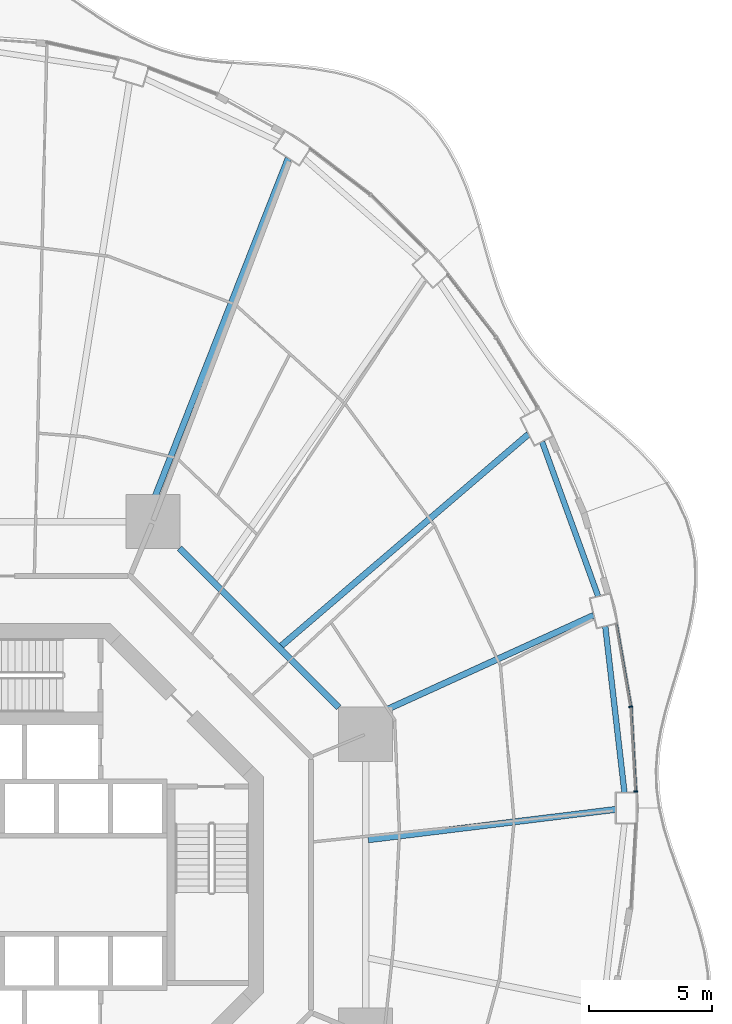
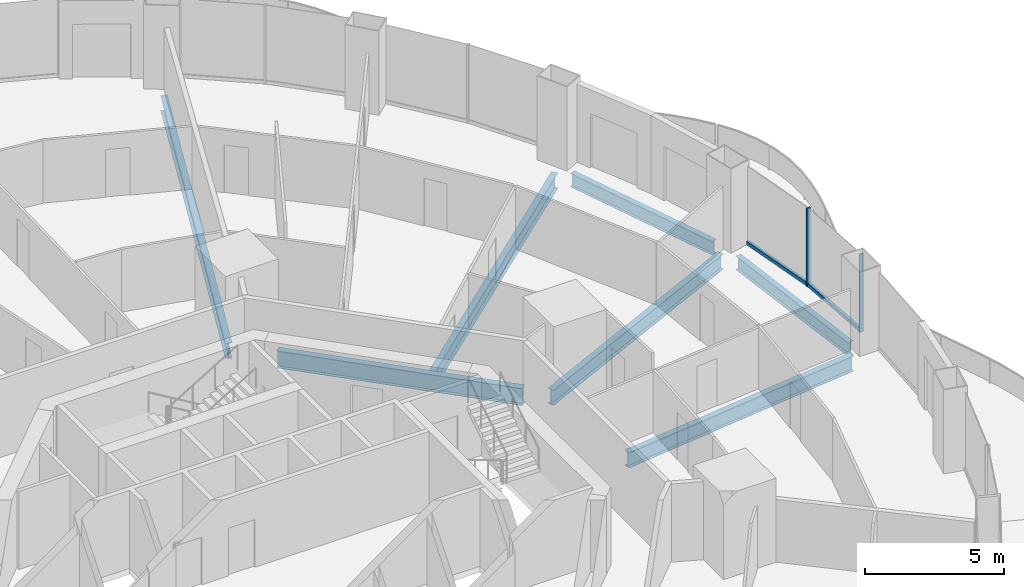
# One storey, part 10 of 24: 7 beams, 4 members, 2 elements without a shape of their own.
"""IFC4 building model written with IfcOpenShell, lengths in metres."""

from ifc_helpers import new_model, si_unit, direction, frame, origin, origin_2d, place, context, subcontext, project, spatial, rectangle, i_section, extrude, material, layer, layer_set, material_profile, profile_set, type_object, element, aggregate, save


model = new_model("IFC4")

# Units and contexts
model_context = context("Model", 3, precision=1e-05, world=origin(), true_north=direction((0.0, 1.0)))
body_context = subcontext(model_context, "Body", "Model", "MODEL_VIEW")
ifc_project = project(units=[si_unit("LENGTHUNIT", "METRE"), si_unit("AREAUNIT", "SQUARE_METRE"), si_unit("VOLUMEUNIT", "CUBIC_METRE"), si_unit("PLANEANGLEUNIT", "RADIAN"), si_unit("MASSUNIT", "GRAM", prefix="KILO")], contexts=[model_context])

# Site, building, storey
site_placement = place(None, origin())
site = spatial("IfcSite", under=ifc_project, at=site_placement, CompositionType="ELEMENT")
building_placement = place(site_placement, origin())
building = spatial("IfcBuilding", under=site, at=building_placement, Name="Nagisa Residences", CompositionType="ELEMENT")
storey_placement = place(building_placement, frame((0.0, 0.0, 102.89990234375)))
storey = spatial("IfcBuildingStorey", under=building, at=storey_placement, Name="L25", CompositionType="ELEMENT", Elevation=102.89990234375)

# Curtain wall, member
ifc_material_1 = material(Name="Concrete-coloured aluminium curtain wall system", Category="concrete")
ifc_layer = layer(ifc_material_1, 0.159912109375)
ifc_layer_set = layer_set([ifc_layer], Name="CW1 CURTAIN WALL")
curtain_wall_type = type_object("IfcCurtainWallType", Name="CW1 CURTAIN WALL", PredefinedType="NOTDEFINED", material=ifc_layer_set)
curtain_wall_1_placement = place(storey_placement, origin())
curtain_wall_1 = element("IfcCurtainWall", 1, at=curtain_wall_1_placement, inside=storey, type_object=curtain_wall_type, Name="cw:CW1:L25:00", PredefinedType="NOTDEFINED")
ifc_material_2 = material(Name="Concrete-coloured aluminium", Category="concrete")
ifc_material_profile_1 = material_profile(ifc_material_2, rectangle(XDim=0.159912109375, YDim=0.06005859375, at=origin_2d()), Name="CW1 MULLION 160x60")
ifc_profile_set_1 = profile_set([ifc_material_profile_1], Name="Concrete-coloured aluminium")
member_type_1 = type_object("IfcMemberType", Name="CW1 MULLION 160x60", PredefinedType="MULLION", material=ifc_profile_set_1)
member_1_placement = place(storey_placement, frame((25.776123046875, 3.7919921875, 0.0), z_axis=(0.0, 0.0, 1.0), x_axis=(-0.998345305184, -0.057503492216, 0.0)))
member_1 = element("IfcMember", 2, at=member_1_placement, type_object=member_type_1, Name="CW1 mullion", PredefinedType="MULLION", context=body_context, shape_type="SweptSolid", body=[
    extrude(rectangle(XDim=0.159912109375, YDim=0.06005859375, at=origin_2d()), origin(), (0.0, 0.0, 1.0), 3.440185546875),
])

curtain_wall_2_placement = place(storey_placement, origin())
curtain_wall_2 = element("IfcCurtainWall", 3, at=curtain_wall_2_placement, inside=storey, type_object=curtain_wall_type, Name="cw:CW1:L25:01", PredefinedType="NOTDEFINED")
member_2_placement = place(storey_placement, frame((25.573974609375, 7.2470703125, 0.0), z_axis=(0.0, 0.0, 1.0), x_axis=(-0.985063604377, -0.172190868898, 0.0)))
member_2 = element("IfcMember", 4, at=member_2_placement, type_object=member_type_1, Name="CW1 mullion", PredefinedType="MULLION", context=body_context, shape_type="SweptSolid", body=[
    extrude(rectangle(XDim=0.159912109375, YDim=0.06005859375, at=origin_2d()), origin(), (0.0, 0.0, 1.0), 3.440185546875),
])

# Member
ifc_material_3 = material(Name="Concrete-coloured aluminium", Category="concrete")
ifc_material_profile_2 = material_profile(ifc_material_3, rectangle(XDim=0.1201171875, YDim=0.14990234375, at=origin_2d()), Name="CW1 TRANSOM 120x150")
ifc_profile_set_2 = profile_set([ifc_material_profile_2], Name="Concrete-coloured aluminium")
member_type_2 = type_object("IfcMemberType", Name="CW1 TRANSOM 120x150", PredefinedType="USERDEFINED", material=ifc_profile_set_2)
member_3_placement = place(storey_placement, frame((25.77783203125, 3.761962890625, 0.0751953125), z_axis=(-0.057546644052, 0.998342818754, 0.0), x_axis=(-0.998342818754, -0.057546644052, 0.0)))
member_3 = element("IfcMember", 5, at=member_3_placement, type_object=member_type_2, Name="CW1 transom", ObjectType="TRANSOM", PredefinedType="USERDEFINED", context=body_context, shape_type="SweptSolid", body=[
    extrude(rectangle(XDim=0.1201171875, YDim=0.14990234375, at=origin_2d()), origin(), (0.0, 0.0, 1.0), 3.470458984375),
])

aggregate(curtain_wall_1, [member_1, member_3])

member_4_placement = place(storey_placement, frame((25.579345703125, 7.217529296875, 0.0751953125), z_axis=(-0.17223289558, 0.985056257114, 0.0), x_axis=(-0.985056257114, -0.17223289558, 0.0)))
member_4 = element("IfcMember", 6, at=member_4_placement, type_object=member_type_2, Name="CW1 transom", ObjectType="TRANSOM", PredefinedType="USERDEFINED", context=body_context, shape_type="SweptSolid", body=[
    extrude(rectangle(XDim=0.1201171875, YDim=0.14990234375, at=origin_2d()), origin(), (0.0, 0.0, 1.0), 3.454345703125),
])

aggregate(curtain_wall_2, [member_2, member_4])

# Beams
ifc_material_4 = material(Name="Steel ASTM A572 Gr 50", Category="steel")
ifc_material_profile_3 = material_profile(ifc_material_4, i_section(OverallWidth=0.264892578125, OverallDepth=0.7529296875, WebThickness=0.01318359375, FlangeThickness=0.01708984375, at=origin_2d()), Name="W760x147")
ifc_profile_set_3 = profile_set([ifc_material_profile_3], Name="Steel ASTM A572 Gr 50")
beam_type_1 = type_object("IfcBeamType", Name="Inner ring beam W760x147", PredefinedType="BEAM", material=ifc_profile_set_3)
beam_1_placement = place(storey_placement, frame((13.6962890625, 7.208740234375, -0.636474609375), z_axis=(-0.707106781187, 0.707106781187, 0.0), x_axis=(-0.707106781187, -0.707106781187, 0.0)))
element("IfcBeam", 7, at=beam_1_placement, inside=storey, type_object=beam_type_1, Name="beam:L25:ib1", PredefinedType="BEAM", context=body_context, shape_type="SweptSolid", body=[
    extrude(i_section(OverallWidth=0.264892578125, OverallDepth=0.7529296875, WebThickness=0.01318359375, FlangeThickness=0.01708984375, at=origin_2d()), origin(), (0.0, 0.0, 1.0), 9.1748046875),
])
ifc_material_5 = material(Name="Steel ASTM A572 Gr 50", Category="steel")
ifc_material_profile_4 = material_profile(ifc_material_5, i_section(OverallWidth=0.22802734375, OverallDepth=0.60302734375, WebThickness=0.010498046875, FlangeThickness=0.014892578125, at=origin_2d()), Name="W610x101")
ifc_profile_set_4 = profile_set([ifc_material_profile_4], Name="Steel ASTM A572 Gr 50")
beam_type_2 = type_object("IfcBeamType", Name="Perimeter ring beam W610x101", PredefinedType="BEAM", material=ifc_profile_set_4)
beam_2_placement = place(storey_placement, frame((25.322265625, 3.747802734375, -0.5615234375), z_axis=(-0.114690766503, 0.993401242237, 0.0), x_axis=(-0.993401242237, -0.114690766503, 0.0)))
element("IfcBeam", 8, at=beam_2_placement, inside=storey, type_object=beam_type_2, Name="beam:L25:pb01", PredefinedType="BEAM", context=body_context, shape_type="SweptSolid", body=[
    extrude(i_section(OverallWidth=0.22802734375, OverallDepth=0.60302734375, WebThickness=0.010498046875, FlangeThickness=0.014892578125, at=origin_2d()), origin(), (0.0, 0.0, 1.0), 6.811767578125),
])
beam_3_placement = place(storey_placement, frame((24.251708984375, 11.7412109375, -0.5615234375), z_axis=(-0.341365002286, 0.939930814057, 0.0), x_axis=(-0.939930814057, -0.341365002286, 0.0)))
element("IfcBeam", 9, at=beam_3_placement, inside=storey, type_object=beam_type_2, Name="beam:L25:pb02", PredefinedType="BEAM", context=body_context, shape_type="SweptSolid", body=[
    extrude(i_section(OverallWidth=0.22802734375, OverallDepth=0.60302734375, WebThickness=0.010498046875, FlangeThickness=0.014892578125, at=origin_2d()), origin(), (0.0, 0.0, 1.0), 6.689208984375),
])
ifc_material_6 = material(Name="Steel ASTM A572 Gr 50", Category="steel")
ifc_material_profile_5 = material_profile(ifc_material_6, i_section(OverallWidth=0.2529296875, OverallDepth=0.677978515625, WebThickness=0.01171875, FlangeThickness=0.016357421875, at=origin_2d()), Name="W690x125")
ifc_profile_set_5 = profile_set([ifc_material_profile_5], Name="Steel ASTM A572 Gr 50")
beam_type_3 = type_object("IfcBeamType", Name="Radial beam W690x125", PredefinedType="BEAM", material=ifc_profile_set_5)
beam_4_placement = place(storey_placement, frame((24.96484375, 3.06494140625, -0.598876953125), z_axis=(-0.992547591761, -0.121857614, 0.0), x_axis=(0.121857614, -0.992547591761, 0.0)))
element("IfcBeam", 10, at=beam_4_placement, inside=storey, type_object=beam_type_3, Name="beam:L25:rb01", PredefinedType="BEAM", context=body_context, shape_type="SweptSolid", body=[
    extrude(i_section(OverallWidth=0.2529296875, OverallDepth=0.677978515625, WebThickness=0.01171875, FlangeThickness=0.016357421875, at=origin_2d()), origin(), (0.0, 0.0, 1.0), 10.145751953125),
])
beam_5_placement = place(storey_placement, frame((24.069091796875, 10.963134765625, -0.598876953125), z_axis=(-0.91004744246, -0.414504104288, 0.0), x_axis=(0.414504104288, -0.91004744246, 0.0)))
element("IfcBeam", 11, at=beam_5_placement, inside=storey, type_object=beam_type_3, Name="beam:L25:rb02", PredefinedType="BEAM", context=body_context, shape_type="SweptSolid", body=[
    extrude(i_section(OverallWidth=0.2529296875, OverallDepth=0.677978515625, WebThickness=0.01171875, FlangeThickness=0.016357421875, at=origin_2d()), origin(), (0.0, 0.0, 1.0), 10.544189453125),
])
beam_6_placement = place(storey_placement, frame((21.4150390625, 18.3369140625, -0.598876953125), z_axis=(-0.759585472841, -0.650407494921, 0.0), x_axis=(0.650407494921, -0.759585472841, 0.0)))
element("IfcBeam", 12, at=beam_6_placement, inside=storey, type_object=beam_type_3, Name="beam:L25:rb03", PredefinedType="BEAM", context=body_context, shape_type="SweptSolid", body=[
    extrude(i_section(OverallWidth=0.2529296875, OverallDepth=0.677978515625, WebThickness=0.01171875, FlangeThickness=0.016357421875, at=origin_2d()), origin(), (0.0, 0.0, 1.0), 13.25390625),
])
beam_7_placement = place(storey_placement, frame((11.636474609375, 29.568359375, -0.598876953125), z_axis=(-0.366203217464, -0.930534901828, 0.0), x_axis=(0.930534901828, -0.366203217464, 0.0)))
element("IfcBeam", 13, at=beam_7_placement, inside=storey, type_object=beam_type_3, Name="beam:L25:rb05", PredefinedType="BEAM", context=body_context, shape_type="SweptSolid", body=[
    extrude(i_section(OverallWidth=0.2529296875, OverallDepth=0.677978515625, WebThickness=0.01171875, FlangeThickness=0.016357421875, at=origin_2d()), origin(), (0.0, 0.0, 1.0), 15.767578125),
])

save(model, "model.ifc")
